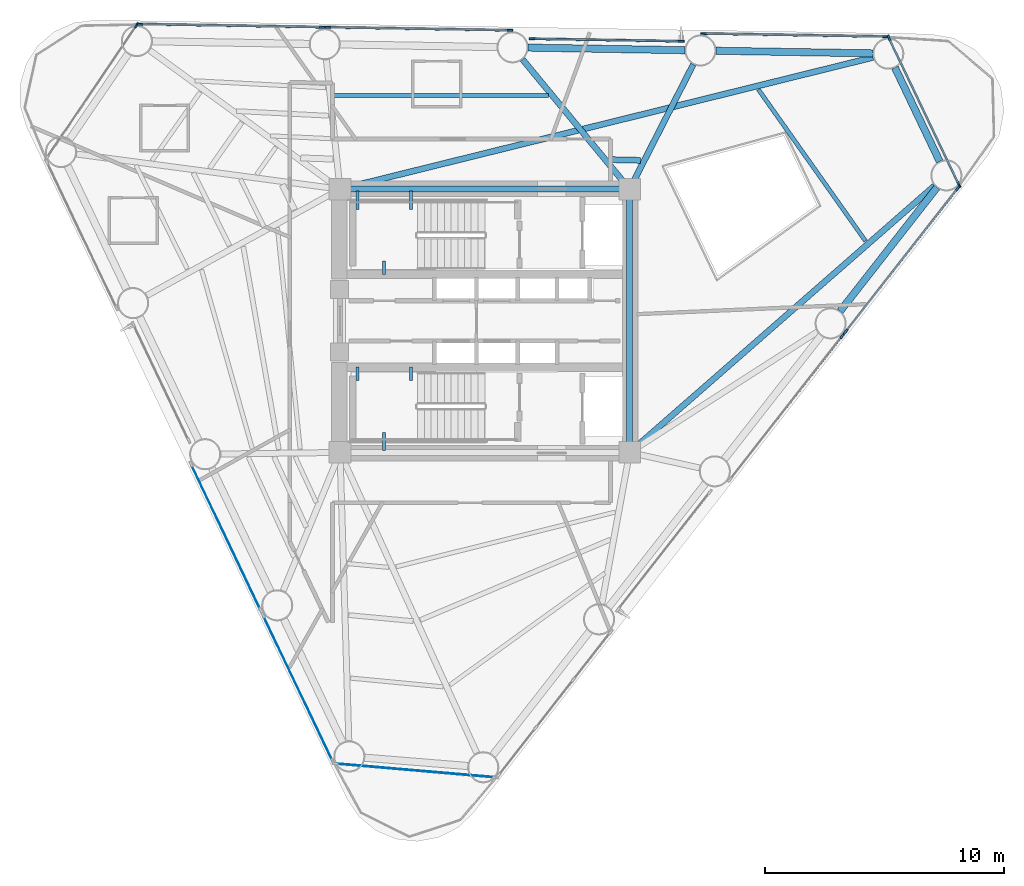
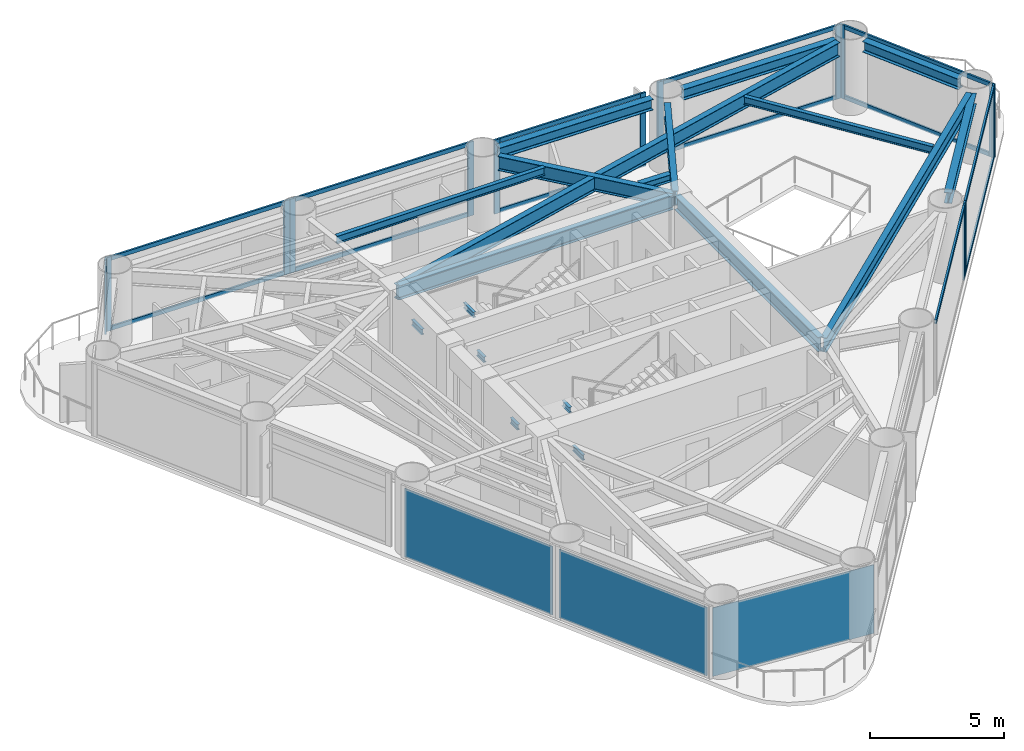
# One storey, part 4 of 10: 28 members, 19 beams, 3 plates, 11 elements without a shape of their own.
"""IFC4 building model written with IfcOpenShell, lengths in metres."""

from ifc_helpers import new_model, si_unit, direction, frame, origin, origin_2d, place, context, subcontext, project, spatial, rectangle, i_section, extrude, source, transform, mapped, material, layer, layer_set, material_profile, profile_set, type_object, element, aggregate, save


model = new_model("IFC4")

# Units and contexts
model_context = context("Model", 3, precision=1e-05, world=origin(), true_north=direction((0.0, 1.0)))
body_context = subcontext(model_context, "Body", "Model", "MODEL_VIEW")
ifc_project = project(units=[si_unit("LENGTHUNIT", "METRE"), si_unit("AREAUNIT", "SQUARE_METRE"), si_unit("VOLUMEUNIT", "CUBIC_METRE"), si_unit("PLANEANGLEUNIT", "RADIAN"), si_unit("MASSUNIT", "GRAM", prefix="KILO")], contexts=[model_context])

# Site, building, storey
site_placement = place(None, origin())
site = spatial("IfcSite", under=ifc_project, at=site_placement, CompositionType="ELEMENT")
building_placement = place(site_placement, origin())
building = spatial("IfcBuilding", under=site, at=building_placement, Name="Yunling Apex Tower", CompositionType="ELEMENT")
storey_placement = place(building_placement, frame((0.0, 0.0, 143.300048828125)))
storey = spatial("IfcBuildingStorey", under=building, at=storey_placement, Name="L35", CompositionType="ELEMENT", Elevation=143.300048828125)

# Beams
ifc_material_1 = material(Name="Steel Q355B", Category="steel")
ifc_material_profile_1 = material_profile(ifc_material_1, i_section(OverallWidth=0.125, OverallDepth=0.25, WebThickness=0.006103515625, FlangeThickness=0.009033203125, FilletRadius=0.011962890625, at=origin_2d()))
ifc_profile_set_1 = profile_set([ifc_material_profile_1], Name="Steel Q355B")
beam_type_1 = type_object("IfcBeamType", Name="BL-LNT-1", PredefinedType="LINTEL", material=ifc_profile_set_1)
shared_shape_1 = source(origin(), body_context, "Body", "SweptSolid", [
    extrude(i_section(OverallWidth=0.125, OverallDepth=0.25, WebThickness=0.006103515625, FlangeThickness=0.009033203125, FilletRadius=0.011962890625, at=origin_2d()), origin(), (0.0, 0.0, 1.0), 0.760009765625),
])
for number, where, z_axis, x_axis, name in (
    (1, (-5.320068359375, 5.419921875, 1.405029296875), (0.0, -1.0, 0.0), (1.0, 0.0, 0.0), "L35 ST-1 Landing Bearing Corbel 1-1"),
    (2, (-3.090087890625, 5.419921875, 1.405029296875), (0.0, -1.0, 0.0), (1.0, 0.0, 0.0), "L35 ST-1 Landing Bearing Corbel 1-2"),
    (3, (-4.205078125, -5.419921875, 1.405029296875), (0.0, 1.0, 0.0), (-1.0, 0.0, 0.0), "L35 ST-2 Landing Bearing Corbel 1-3"),
):
    element("IfcBeam", number, at=place(storey_placement, frame(where, z_axis=z_axis, x_axis=x_axis)), inside=storey, type_object=beam_type_1, Name=name, PredefinedType="LINTEL", context=body_context, shape_type="MappedRepresentation", body=[
        mapped(shared_shape_1, transform((0.0, 0.0, 0.0), scale=1.0)),
    ])
shared_shape_2 = source(origin(), body_context, "Body", "SweptSolid", [
    extrude(i_section(OverallWidth=0.125, OverallDepth=0.25, WebThickness=0.006103515625, FlangeThickness=0.009033203125, FilletRadius=0.011962890625, at=origin_2d()), origin(), (0.0, 0.0, 1.0), 0.550048828125),
])
for number, where, z_axis, x_axis, name in (
    (4, (-4.205078125, 1.93994140625, 1.405029296875), (0.0, 1.0, 0.0), (-1.0, 0.0, 0.0), "L35 ST-1 Landing Bearing Corbel 1-3"),
    (5, (-5.320068359375, -1.93994140625, 1.405029296875), (0.0, -1.0, 0.0), (1.0, 0.0, 0.0), "L35 ST-2 Landing Bearing Corbel 1-1"),
    (6, (-3.090087890625, -1.93994140625, 1.405029296875), (0.0, -1.0, 0.0), (1.0, 0.0, 0.0), "L35 ST-2 Landing Bearing Corbel 1-2"),
):
    element("IfcBeam", number, at=place(storey_placement, frame(where, z_axis=z_axis, x_axis=x_axis)), inside=storey, type_object=beam_type_1, Name=name, PredefinedType="LINTEL", context=body_context, shape_type="MappedRepresentation", body=[
        mapped(shared_shape_2, transform((0.0, 0.0, 0.0), scale=1.0)),
    ])
ifc_material_profile_2 = material_profile(ifc_material_1, i_section(OverallWidth=0.25, OverallDepth=0.64990234375, WebThickness=0.011962890625, FlangeThickness=0.02001953125, FilletRadius=0.02392578125, at=origin_2d()))
ifc_profile_set_2 = profile_set([ifc_material_profile_2], Name="Steel Q355B")
beam_type_2 = type_object("IfcBeamType", Name="BG-PRI-4", PredefinedType="USERDEFINED", material=ifc_profile_set_2)
shared_shape_3 = source(origin(), body_context, "Body", "SweptSolid", [
    extrude(i_section(OverallWidth=0.25, OverallDepth=0.64990234375, WebThickness=0.011962890625, FlangeThickness=0.02001953125, FilletRadius=0.02392578125, at=origin_2d()), origin(), (0.0, 0.0, 1.0), 11.7998046875),
])
beam_1_placement = place(storey_placement, frame((5.89990234375, 5.5, 2.945068359375), z_axis=(-1.0, 0.0, 0.0), x_axis=(0.0, -1.0, 0.0)))
element("IfcBeam", 7, at=beam_1_placement, inside=storey, type_object=beam_type_2, Name="L35 Core Ring Tie Beam 3", ObjectType="GIRDER", PredefinedType="USERDEFINED", context=body_context, shape_type="MappedRepresentation", body=[
    mapped(shared_shape_3, transform((0.0, 0.0, 0.0), scale=1.0)),
])
shared_shape_4 = source(origin(), body_context, "Body", "SweptSolid", [
    extrude(i_section(OverallWidth=0.25, OverallDepth=0.64990234375, WebThickness=0.011962890625, FlangeThickness=0.02001953125, FilletRadius=0.02392578125, at=origin_2d()), origin(), (0.0, 0.0, 1.0), 10.7001953125),
])
beam_2_placement = place(storey_placement, frame((6.050048828125, -5.35009765625, 2.945068359375), z_axis=(0.0, 1.0, 0.0), x_axis=(-1.0, 0.0, 0.0)))
element("IfcBeam", 8, at=beam_2_placement, inside=storey, type_object=beam_type_2, Name="L35 Core Ring Tie Beam 2", ObjectType="GIRDER", PredefinedType="USERDEFINED", context=body_context, shape_type="MappedRepresentation", body=[
    mapped(shared_shape_4, transform((0.0, 0.0, 0.0), scale=1.0)),
])
ifc_material_profile_3 = material_profile(ifc_material_1, i_section(OverallWidth=0.300048828125, OverallDepth=0.489990234375, WebThickness=0.010986328125, FlangeThickness=0.01806640625, FilletRadius=0.02197265625, at=origin_2d()))
ifc_profile_set_3 = profile_set([ifc_material_profile_3], Name="Steel Q355B")
beam_type_3 = type_object("IfcBeamType", Name="BP-SPN-2", PredefinedType="SPANDREL", material=ifc_profile_set_3)
shared_shape_5 = source(origin(), body_context, "Body", "SweptSolid", [
    extrude(i_section(OverallWidth=0.300048828125, OverallDepth=0.489990234375, WebThickness=0.010986328125, FlangeThickness=0.01806640625, FilletRadius=0.02197265625, at=origin_2d()), origin(), (0.0, 0.0, 1.0), 6.562255859375),
])
for number, where, z_axis, x_axis, name in (
    (9, (14.8447265625, 0.400390625, 3.02490234375), (0.616196907529, 0.787592135024, 0.0), (-0.787592135024, 0.616196907529, 0.0), "L35 Perimeter Spandrel Beam 4"),
    (10, (16.214599609375, 11.174560546875, 3.02490234375), (-0.999859845587, 0.016741839275, 0.0), (-0.016741839275, -0.999859845587, 0.0), "L35 Perimeter Spandrel Beam 6"),
):
    element("IfcBeam", number, at=place(storey_placement, frame(where, z_axis=z_axis, x_axis=x_axis)), inside=storey, type_object=beam_type_3, Name=name, PredefinedType="SPANDREL", context=body_context, shape_type="MappedRepresentation", body=[
        mapped(shared_shape_5, transform((0.0, 0.0, 0.0), scale=1.0)),
    ])
shared_shape_6 = source(origin(), body_context, "Body", "SweptSolid", [
    extrude(i_section(OverallWidth=0.300048828125, OverallDepth=0.489990234375, WebThickness=0.010986328125, FlangeThickness=0.01806640625, FilletRadius=0.02197265625, at=origin_2d()), origin(), (0.0, 0.0, 1.0), 6.56201171875),
])
beam_3_placement = place(storey_placement, frame((8.365478515625, 11.305908203125, 3.02490234375), z_axis=(-0.999859211643, 0.016779657083, 0.0), x_axis=(-0.016779657083, -0.999859211643, 0.0)))
element("IfcBeam", 11, at=beam_3_placement, inside=storey, type_object=beam_type_3, Name="L35 Perimeter Spandrel Beam 7", PredefinedType="SPANDREL", context=body_context, shape_type="MappedRepresentation", body=[
    mapped(shared_shape_6, transform((0.0, 0.0, 0.0), scale=1.0)),
])
shared_shape_7 = source(origin(), body_context, "Body", "SweptSolid", [
    extrude(i_section(OverallWidth=0.300048828125, OverallDepth=0.489990234375, WebThickness=0.010986328125, FlangeThickness=0.01806640625, FilletRadius=0.02197265625, at=origin_2d()), origin(), (0.0, 0.0, 1.0), 4.348876953125),
])
beam_4_placement = place(storey_placement, frame((19.0078125, 6.6572265625, 3.02490234375), z_axis=(-0.430473932145, 0.902603010046, 0.0), x_axis=(-0.902603010046, -0.430473932145, 0.0)))
element("IfcBeam", 12, at=beam_4_placement, inside=storey, type_object=beam_type_3, Name="L35 Perimeter Spandrel Beam 5", PredefinedType="SPANDREL", context=body_context, shape_type="MappedRepresentation", body=[
    mapped(shared_shape_7, transform((0.0, 0.0, 0.0), scale=1.0)),
])
shared_shape_8 = source(origin(), body_context, "Body", "SweptSolid", [
    extrude(i_section(OverallWidth=0.25, OverallDepth=0.64990234375, WebThickness=0.011962890625, FlangeThickness=0.02001953125, FilletRadius=0.02392578125, at=origin_2d()), origin(), (0.0, 0.0, 1.0), 16.84521484375),
])
beam_5_placement = place(storey_placement, frame((18.789794921875, 5.642822265625, 2.945068359375), z_axis=(-0.75271314446, -0.658348632684, 0.0), x_axis=(0.658348632684, -0.75271314446, 0.0)))
element("IfcBeam", 13, at=beam_5_placement, inside=storey, type_object=beam_type_2, Name="L35 Radial Primary Girder R05", ObjectType="GIRDER", PredefinedType="USERDEFINED", context=body_context, shape_type="MappedRepresentation", body=[
    mapped(shared_shape_8, transform((0.0, 0.0, 0.0), scale=1.0)),
])
shared_shape_9 = source(origin(), body_context, "Body", "SweptSolid", [
    extrude(i_section(OverallWidth=0.25, OverallDepth=0.64990234375, WebThickness=0.011962890625, FlangeThickness=0.02001953125, FilletRadius=0.02392578125, at=origin_2d()), origin(), (0.0, 0.0, 1.0), 22.860107421875),
])
beam_6_placement = place(storey_placement, frame((16.219482421875, 11.005859375, 2.945068359375), z_axis=(-0.970771198537, -0.240006833426, 0.0), x_axis=(0.240006833426, -0.970771198537, 0.0)))
element("IfcBeam", 14, at=beam_6_placement, inside=storey, type_object=beam_type_2, Name="L35 Radial Primary Girder R06", ObjectType="GIRDER", PredefinedType="USERDEFINED", context=body_context, shape_type="MappedRepresentation", body=[
    mapped(shared_shape_9, transform((0.0, 0.0, 0.0), scale=1.0)),
])
shared_shape_10 = source(origin(), body_context, "Body", "SweptSolid", [
    extrude(i_section(OverallWidth=0.25, OverallDepth=0.64990234375, WebThickness=0.011962890625, FlangeThickness=0.02001953125, FilletRadius=0.02392578125, at=origin_2d()), origin(), (0.0, 0.0, 1.0), 5.76904296875),
])
beam_7_placement = place(storey_placement, frame((8.710205078125, 10.709228515625, 2.945068359375), z_axis=(-0.454797867462, -0.890594688819, 0.0), x_axis=(0.890594688819, -0.454797867462, 0.0)))
element("IfcBeam", 15, at=beam_7_placement, inside=storey, type_object=beam_type_2, Name="L35 Radial Primary Girder R07", ObjectType="GIRDER", PredefinedType="USERDEFINED", context=body_context, shape_type="MappedRepresentation", body=[
    mapped(shared_shape_10, transform((0.0, 0.0, 0.0), scale=1.0)),
])
shared_shape_11 = source(origin(), body_context, "Body", "SweptSolid", [
    extrude(i_section(OverallWidth=0.25, OverallDepth=0.64990234375, WebThickness=0.011962890625, FlangeThickness=0.02001953125, FilletRadius=0.02392578125, at=origin_2d()), origin(), (0.0, 0.0, 1.0), 6.9453125),
])
beam_8_placement = place(storey_placement, frame((1.5791015625, 10.919189453125, 2.945068359375), z_axis=(0.636387137961, -0.771369827409, 0.0), x_axis=(0.771369827409, 0.636387137961, 0.0)))
element("IfcBeam", 16, at=beam_8_placement, inside=storey, type_object=beam_type_2, Name="L35 Radial Primary Girder R08", ObjectType="GIRDER", PredefinedType="USERDEFINED", context=body_context, shape_type="MappedRepresentation", body=[
    mapped(shared_shape_11, transform((0.0, 0.0, 0.0), scale=1.0)),
])
ifc_material_profile_4 = material_profile(ifc_material_1, i_section(OverallWidth=0.175048828125, OverallDepth=0.35009765625, WebThickness=0.007080078125, FlangeThickness=0.010986328125, FilletRadius=0.013916015625, at=origin_2d()))
ifc_profile_set_4 = profile_set([ifc_material_profile_4], Name="Steel Q355B")
beam_type_4 = type_object("IfcBeamType", Name="BJ-JST-1", PredefinedType="JOIST", material=ifc_profile_set_4)
shared_shape_12 = source(origin(), body_context, "Body", "SweptSolid", [
    extrude(i_section(OverallWidth=0.175048828125, OverallDepth=0.35009765625, WebThickness=0.007080078125, FlangeThickness=0.010986328125, FilletRadius=0.013916015625, at=origin_2d()), origin(), (0.0, 0.0, 1.0), 7.7578125),
])
beam_9_placement = place(storey_placement, frame((15.907958984375, 3.33349609375, 3.094970703125), z_axis=(-0.577260058065, 0.816560362351, 0.0), x_axis=(-0.816560362351, -0.577260058065, 0.0)))
element("IfcBeam", 17, at=beam_9_placement, inside=storey, type_object=beam_type_4, Name="L35 Composite Floor Joist BJ1-5", PredefinedType="JOIST", context=body_context, shape_type="MappedRepresentation", body=[
    mapped(shared_shape_12, transform((0.0, 0.0, 0.0), scale=1.0)),
])
ifc_material_profile_5 = material_profile(ifc_material_1, i_section(OverallWidth=0.25, OverallDepth=0.340087890625, WebThickness=0.009033203125, FlangeThickness=0.013916015625, FilletRadius=0.01806640625, at=origin_2d()))
ifc_profile_set_5 = profile_set([ifc_material_profile_5], Name="Steel Q355B")
beam_type_5 = type_object("IfcBeamType", Name="BJ-JST-2", PredefinedType="JOIST", material=ifc_profile_set_5)
shared_shape_13 = source(origin(), body_context, "Body", "SweptSolid", [
    extrude(i_section(OverallWidth=0.25, OverallDepth=0.340087890625, WebThickness=0.009033203125, FlangeThickness=0.013916015625, FilletRadius=0.01806640625, at=origin_2d()), origin(), (0.0, 0.0, 1.0), 1.3173828125),
])
beam_10_placement = place(storey_placement, frame((6.503662109375, 6.705322265625, 3.099853515625), z_axis=(-0.999718560735, 0.023723391875, 0.0), x_axis=(-0.023723391875, -0.999718560735, 0.0)))
element("IfcBeam", 18, at=beam_10_placement, inside=storey, type_object=beam_type_5, Name="L35 Composite Floor Joist BJ2-7", PredefinedType="JOIST", context=body_context, shape_type="MappedRepresentation", body=[
    mapped(shared_shape_13, transform((0.0, 0.0, 0.0), scale=1.0)),
])
shared_shape_14 = source(origin(), body_context, "Body", "SweptSolid", [
    extrude(i_section(OverallWidth=0.175048828125, OverallDepth=0.35009765625, WebThickness=0.007080078125, FlangeThickness=0.010986328125, FilletRadius=0.013916015625, at=origin_2d()), origin(), (0.0, 0.0, 1.0), 8.959228515625),
])
beam_11_placement = place(storey_placement, frame((2.65673828125, 9.4189453125, 3.094970703125), z_axis=(-0.99999980359, -0.000626754107, 0.0), x_axis=(0.000626754107, -0.99999980359, 0.0)))
element("IfcBeam", 19, at=beam_11_placement, inside=storey, type_object=beam_type_4, Name="L35 Composite Floor Joist BJ1-8", PredefinedType="JOIST", context=body_context, shape_type="MappedRepresentation", body=[
    mapped(shared_shape_14, transform((0.0, 0.0, 0.0), scale=1.0)),
])

# Curtain wall, member
ifc_material_2 = material(Name="Bronze anodised aluminium", Category="aluminium")
ifc_layer_1 = layer(ifc_material_2, 0.239990234375)
ifc_layer_set_1 = layer_set([ifc_layer_1], Name="Bronze anodised aluminium")
curtain_wall_type = type_object("IfcCurtainWallType", Name="CW-SYS-3", PredefinedType="NOTDEFINED", material=ifc_layer_set_1)
curtain_wall_1_placement = place(storey_placement, origin())
curtain_wall_1 = element("IfcCurtainWall", 20, at=curtain_wall_1_placement, inside=storey, type_object=curtain_wall_type, Name="CW-L35-F1-B3", PredefinedType="NOTDEFINED")
ifc_material_profile_6 = material_profile(ifc_material_2, rectangle(XDim=0.080078125, YDim=0.239990234375, at=origin_2d()))
ifc_profile_set_6 = profile_set([ifc_material_profile_6], Name="Bronze anodised aluminium")
member_type_1 = type_object("IfcMemberType", Name="CW-MUL-3", PredefinedType="MULLION", material=ifc_profile_set_6)
shared_shape_15 = source(origin(), body_context, "Body", "SweptSolid", [
    extrude(rectangle(XDim=0.080078125, YDim=0.239990234375, at=origin_2d()), origin(), (0.0, 0.0, 1.0), 3.3701171875),
])
member_1_placement = place(storey_placement, frame((14.93310546875, -0.638671875, -0.050048828125), z_axis=(0.0, 0.0, 1.0), x_axis=(-0.787583748686, 0.616207626377, 0.0)))
member_1 = element("IfcMember", 21, at=member_1_placement, type_object=member_type_1, Name="CW-SYS-3 mullion 2", PredefinedType="MULLION", context=body_context, shape_type="MappedRepresentation", body=[
    mapped(shared_shape_15, transform((0.0, 0.0, 0.0), scale=1.0)),
])

# Curtain wall, members
curtain_wall_2_placement = place(storey_placement, origin())
curtain_wall_2 = element("IfcCurtainWall", 22, at=curtain_wall_2_placement, inside=storey, type_object=curtain_wall_type, Name="CW-L35-F1-B4", PredefinedType="NOTDEFINED")
member_2_placement = place(storey_placement, frame((15.0810546875, -0.44970703125, -0.050048828125), z_axis=(0.0, 0.0, 1.0), x_axis=(-0.787583748686, 0.616207626377, 0.0)))
member_2 = element("IfcMember", 23, at=member_2_placement, type_object=member_type_1, Name="CW-SYS-3 mullion 1", PredefinedType="MULLION", context=body_context, shape_type="MappedRepresentation", body=[
    mapped(shared_shape_15, transform((0.0, 0.0, 0.0), scale=1.0)),
])
member_3_placement = place(storey_placement, frame((19.770263671875, 5.5439453125, -0.050048828125), z_axis=(0.0, 0.0, 1.0), x_axis=(-0.787583748686, 0.616207626377, 0.0)))
member_3 = element("IfcMember", 24, at=member_3_placement, type_object=member_type_1, Name="CW-SYS-3 mullion 2", PredefinedType="MULLION", context=body_context, shape_type="MappedRepresentation", body=[
    mapped(shared_shape_15, transform((0.0, 0.0, 0.0), scale=1.0)),
])

curtain_wall_3_placement = place(storey_placement, origin())
curtain_wall_3 = element("IfcCurtainWall", 25, at=curtain_wall_3_placement, inside=storey, type_object=curtain_wall_type, Name="CW-L35-CRN1", PredefinedType="NOTDEFINED")
member_4_placement = place(storey_placement, frame((19.811279296875, 5.68701171875, -0.050048828125), z_axis=(0.0, 0.0, 1.0), x_axis=(-0.902581673296, -0.430518667458, 0.0)))
member_4 = element("IfcMember", 26, at=member_4_placement, type_object=member_type_1, Name="CW-SYS-3 mullion 1", PredefinedType="MULLION", context=body_context, shape_type="MappedRepresentation", body=[
    mapped(shared_shape_15, transform((0.0, 0.0, 0.0), scale=1.0)),
])
member_5_placement = place(storey_placement, frame((16.88720703125, 11.8173828125, -0.050048828125), z_axis=(0.0, 0.0, 1.0), x_axis=(-0.902581673296, -0.430518667458, 0.0)))
member_5 = element("IfcMember", 27, at=member_5_placement, type_object=member_type_1, Name="CW-SYS-3 mullion 2", PredefinedType="MULLION", context=body_context, shape_type="MappedRepresentation", body=[
    mapped(shared_shape_15, transform((0.0, 0.0, 0.0), scale=1.0)),
])

curtain_wall_4_placement = place(storey_placement, origin())
curtain_wall_4 = element("IfcCurtainWall", 28, at=curtain_wall_4_placement, inside=storey, type_object=curtain_wall_type, Name="CW-L35-F2-B1", PredefinedType="NOTDEFINED")
member_6_placement = place(storey_placement, frame((16.75048828125, 11.87548828125, -0.050048828125), z_axis=(0.0, 0.0, 1.0), x_axis=(-0.016761635477, -0.99985951392, 0.0)))
member_6 = element("IfcMember", 29, at=member_6_placement, type_object=member_type_1, Name="CW-SYS-3 mullion 1", PredefinedType="MULLION", context=body_context, shape_type="MappedRepresentation", body=[
    mapped(shared_shape_15, transform((0.0, 0.0, 0.0), scale=1.0)),
])
member_7_placement = place(storey_placement, frame((9.141357421875, 12.003173828125, -0.050048828125), z_axis=(0.0, 0.0, 1.0), x_axis=(-0.016761635477, -0.99985951392, 0.0)))
member_7 = element("IfcMember", 30, at=member_7_placement, type_object=member_type_1, Name="CW-SYS-3 mullion 2", PredefinedType="MULLION", context=body_context, shape_type="MappedRepresentation", body=[
    mapped(shared_shape_15, transform((0.0, 0.0, 0.0), scale=1.0)),
])

curtain_wall_5_placement = place(storey_placement, origin())
curtain_wall_5 = element("IfcCurtainWall", 31, at=curtain_wall_5_placement, inside=storey, type_object=curtain_wall_type, Name="CW-L35-F2-B2", PredefinedType="NOTDEFINED")
member_8_placement = place(storey_placement, frame((8.205810546875, 11.6787109375, -0.050048828125), z_axis=(0.0, 0.0, 1.0), x_axis=(-0.016766539529, -0.999859431696, 0.0)))
member_8 = element("IfcMember", 32, at=member_8_placement, type_object=member_type_1, Name="CW-SYS-3 mullion 1", PredefinedType="MULLION", context=body_context, shape_type="MappedRepresentation", body=[
    mapped(shared_shape_15, transform((0.0, 0.0, 0.0), scale=1.0)),
])
member_9_placement = place(storey_placement, frame((1.9765625, 11.783203125, -0.050048828125), z_axis=(0.0, 0.0, 1.0), x_axis=(-0.016766539529, -0.999859431696, 0.0)))
member_9 = element("IfcMember", 33, at=member_9_placement, type_object=member_type_1, Name="CW-SYS-3 mullion 2", PredefinedType="MULLION", context=body_context, shape_type="MappedRepresentation", body=[
    mapped(shared_shape_15, transform((0.0, 0.0, 0.0), scale=1.0)),
])

curtain_wall_6_placement = place(storey_placement, origin())
curtain_wall_6 = element("IfcCurtainWall", 34, at=curtain_wall_6_placement, inside=storey, type_object=curtain_wall_type, Name="CW-L35-F2-B3", PredefinedType="NOTDEFINED")
member_10_placement = place(storey_placement, frame((1.052490234375, 12.138671875, -0.050048828125), z_axis=(0.0, 0.0, 1.0), x_axis=(-0.016761635477, -0.99985951392, 0.0)))
member_10 = element("IfcMember", 35, at=member_10_placement, type_object=member_type_1, Name="CW-SYS-3 mullion 1", PredefinedType="MULLION", context=body_context, shape_type="MappedRepresentation", body=[
    mapped(shared_shape_15, transform((0.0, 0.0, 0.0), scale=1.0)),
])
member_11_placement = place(storey_placement, frame((-6.556640625, 12.266357421875, -0.050048828125), z_axis=(0.0, 0.0, 1.0), x_axis=(-0.016761635477, -0.99985951392, 0.0)))
member_11 = element("IfcMember", 36, at=member_11_placement, type_object=member_type_1, Name="CW-SYS-3 mullion 2", PredefinedType="MULLION", context=body_context, shape_type="MappedRepresentation", body=[
    mapped(shared_shape_15, transform((0.0, 0.0, 0.0), scale=1.0)),
])

curtain_wall_7_placement = place(storey_placement, origin())
curtain_wall_7 = element("IfcCurtainWall", 37, at=curtain_wall_7_placement, inside=storey, type_object=curtain_wall_type, Name="CW-L35-F2-B4", PredefinedType="NOTDEFINED")
member_12_placement = place(storey_placement, frame((-6.796630859375, 12.270263671875, -0.050048828125), z_axis=(0.0, 0.0, 1.0), x_axis=(-0.016761635477, -0.99985951392, 0.0)))
member_12 = element("IfcMember", 38, at=member_12_placement, type_object=member_type_1, Name="CW-SYS-3 mullion 1", PredefinedType="MULLION", context=body_context, shape_type="MappedRepresentation", body=[
    mapped(shared_shape_15, transform((0.0, 0.0, 0.0), scale=1.0)),
])
member_13_placement = place(storey_placement, frame((-14.40576171875, 12.39794921875, -0.050048828125), z_axis=(0.0, 0.0, 1.0), x_axis=(-0.016761635477, -0.99985951392, 0.0)))
member_13 = element("IfcMember", 39, at=member_13_placement, type_object=member_type_1, Name="CW-SYS-3 mullion 2", PredefinedType="MULLION", context=body_context, shape_type="MappedRepresentation", body=[
    mapped(shared_shape_15, transform((0.0, 0.0, 0.0), scale=1.0)),
])

# Curtain wall, member
curtain_wall_8_placement = place(storey_placement, origin())
curtain_wall_8 = element("IfcCurtainWall", 40, at=curtain_wall_8_placement, inside=storey, type_object=curtain_wall_type, Name="CW-L35-CRN2", PredefinedType="NOTDEFINED")
member_14_placement = place(storey_placement, frame((-14.54833984375, 12.3466796875, -0.050048828125), z_axis=(0.0, 0.0, 1.0), x_axis=(0.82813882115, -0.560523052964, 0.0)))
member_14 = element("IfcMember", 41, at=member_14_placement, type_object=member_type_1, Name="CW-SYS-3 mullion 1", PredefinedType="MULLION", context=body_context, shape_type="MappedRepresentation", body=[
    mapped(shared_shape_15, transform((0.0, 0.0, 0.0), scale=1.0)),
])
aggregate(curtain_wall_8, [member_14])

# Member
ifc_material_profile_7 = material_profile(ifc_material_2, rectangle(XDim=0.080078125, YDim=0.18505859375, at=origin_2d()))
ifc_profile_set_7 = profile_set([ifc_material_profile_7], Name="Bronze anodised aluminium")
member_type_2 = type_object("IfcMemberType", Name="CW-TRN-3", PredefinedType="USERDEFINED", material=ifc_profile_set_7)
shared_shape_16 = source(origin(), body_context, "Body", "SweptSolid", [
    extrude(rectangle(XDim=0.080078125, YDim=0.18505859375, at=origin_2d()), origin(), (0.0, 0.0, 1.0), 7.5380859375),
])
member_15_placement = place(storey_placement, frame((10.265869140625, -6.603759765625, 3.22998046875), z_axis=(0.616213940974, 0.787578808088, 0.0), x_axis=(-0.787578808088, 0.616213940974, 0.0)))
member_15 = element("IfcMember", 42, at=member_15_placement, type_object=member_type_2, Name="CW-SYS-3 transom 1.2", ObjectType="TRANSOM", PredefinedType="USERDEFINED", context=body_context, shape_type="MappedRepresentation", body=[
    mapped(shared_shape_16, transform((0.0, 0.0, 0.0), scale=1.0)),
])

aggregate(curtain_wall_1, [member_1, member_15])

member_16_placement = place(storey_placement, frame((15.10302734375, -0.421142578125, 0.0400390625), z_axis=(0.616213940974, 0.787578808088, 0.0), x_axis=(-0.787578808088, 0.616213940974, 0.0)))
member_16 = element("IfcMember", 43, at=member_16_placement, type_object=member_type_2, Name="CW-SYS-3 transom 1.1", ObjectType="TRANSOM", PredefinedType="USERDEFINED", context=body_context, shape_type="MappedRepresentation", body=[
    mapped(shared_shape_16, transform((0.0, 0.0, 0.0), scale=1.0)),
])

member_17_placement = place(storey_placement, frame((15.10302734375, -0.421142578125, 3.22998046875), z_axis=(0.616213940974, 0.787578808088, 0.0), x_axis=(-0.787578808088, 0.616213940974, 0.0)))
member_17 = element("IfcMember", 44, at=member_17_placement, type_object=member_type_2, Name="CW-SYS-3 transom 1.2", ObjectType="TRANSOM", PredefinedType="USERDEFINED", context=body_context, shape_type="MappedRepresentation", body=[
    mapped(shared_shape_16, transform((0.0, 0.0, 0.0), scale=1.0)),
])

aggregate(curtain_wall_2, [member_2, member_3, member_16, member_17])

member_18_placement = place(storey_placement, frame((16.71435546875, 11.876220703125, 0.0400390625), z_axis=(-0.999859805743, 0.016744218696, 0.0), x_axis=(-0.016744218696, -0.999859805743, 0.0)))
member_18 = element("IfcMember", 45, at=member_18_placement, type_object=member_type_2, Name="CW-SYS-3 transom 1.1", ObjectType="TRANSOM", PredefinedType="USERDEFINED", context=body_context, shape_type="MappedRepresentation", body=[
    mapped(shared_shape_16, transform((0.0, 0.0, 0.0), scale=1.0)),
])

member_19_placement = place(storey_placement, frame((16.71435546875, 11.876220703125, 3.22998046875), z_axis=(-0.999859805743, 0.016744218696, 0.0), x_axis=(-0.016744218696, -0.999859805743, 0.0)))
member_19 = element("IfcMember", 46, at=member_19_placement, type_object=member_type_2, Name="CW-SYS-3 transom 1.2", ObjectType="TRANSOM", PredefinedType="USERDEFINED", context=body_context, shape_type="MappedRepresentation", body=[
    mapped(shared_shape_16, transform((0.0, 0.0, 0.0), scale=1.0)),
])

aggregate(curtain_wall_4, [member_6, member_7, member_18, member_19])

member_20_placement = place(storey_placement, frame((1.016357421875, 12.139404296875, 0.0400390625), z_axis=(-0.999859805743, 0.016744218696, 0.0), x_axis=(-0.016744218696, -0.999859805743, 0.0)))
member_20 = element("IfcMember", 47, at=member_20_placement, type_object=member_type_2, Name="CW-SYS-3 transom 1.1", ObjectType="TRANSOM", PredefinedType="USERDEFINED", context=body_context, shape_type="MappedRepresentation", body=[
    mapped(shared_shape_16, transform((0.0, 0.0, 0.0), scale=1.0)),
])

member_21_placement = place(storey_placement, frame((1.016357421875, 12.139404296875, 3.22998046875), z_axis=(-0.999859805743, 0.016744218696, 0.0), x_axis=(-0.016744218696, -0.999859805743, 0.0)))
member_21 = element("IfcMember", 48, at=member_21_placement, type_object=member_type_2, Name="CW-SYS-3 transom 1.2", ObjectType="TRANSOM", PredefinedType="USERDEFINED", context=body_context, shape_type="MappedRepresentation", body=[
    mapped(shared_shape_16, transform((0.0, 0.0, 0.0), scale=1.0)),
])

aggregate(curtain_wall_6, [member_10, member_11, member_20, member_21])

member_22_placement = place(storey_placement, frame((-6.83251953125, 12.27099609375, 0.0400390625), z_axis=(-0.999859805743, 0.016744218696, 0.0), x_axis=(-0.016744218696, -0.999859805743, 0.0)))
member_22 = element("IfcMember", 49, at=member_22_placement, type_object=member_type_2, Name="CW-SYS-3 transom 1.1", ObjectType="TRANSOM", PredefinedType="USERDEFINED", context=body_context, shape_type="MappedRepresentation", body=[
    mapped(shared_shape_16, transform((0.0, 0.0, 0.0), scale=1.0)),
])

member_23_placement = place(storey_placement, frame((-6.83251953125, 12.27099609375, 3.22998046875), z_axis=(-0.999859805743, 0.016744218696, 0.0), x_axis=(-0.016744218696, -0.999859805743, 0.0)))
member_23 = element("IfcMember", 50, at=member_23_placement, type_object=member_type_2, Name="CW-SYS-3 transom 1.2", ObjectType="TRANSOM", PredefinedType="USERDEFINED", context=body_context, shape_type="MappedRepresentation", body=[
    mapped(shared_shape_16, transform((0.0, 0.0, 0.0), scale=1.0)),
])

aggregate(curtain_wall_7, [member_12, member_13, member_22, member_23])

shared_shape_17 = source(origin(), body_context, "Body", "SweptSolid", [
    extrude(rectangle(XDim=0.080078125, YDim=0.18505859375, at=origin_2d()), origin(), (0.0, 0.0, 1.0), 6.719970703125),
])
member_24_placement = place(storey_placement, frame((19.7958984375, 5.719482421875, 0.0400390625), z_axis=(-0.430511684766, 0.902585003908, 0.0), x_axis=(-0.902585003908, -0.430511684766, 0.0)))
member_24 = element("IfcMember", 51, at=member_24_placement, type_object=member_type_2, Name="CW-SYS-3 transom 1.1", ObjectType="TRANSOM", PredefinedType="USERDEFINED", context=body_context, shape_type="MappedRepresentation", body=[
    mapped(shared_shape_17, transform((0.0, 0.0, 0.0), scale=1.0)),
])

member_25_placement = place(storey_placement, frame((19.7958984375, 5.719482421875, 3.22998046875), z_axis=(-0.430511684766, 0.902585003908, 0.0), x_axis=(-0.902585003908, -0.430511684766, 0.0)))
member_25 = element("IfcMember", 52, at=member_25_placement, type_object=member_type_2, Name="CW-SYS-3 transom 1.2", ObjectType="TRANSOM", PredefinedType="USERDEFINED", context=body_context, shape_type="MappedRepresentation", body=[
    mapped(shared_shape_17, transform((0.0, 0.0, 0.0), scale=1.0)),
])

aggregate(curtain_wall_3, [member_4, member_5, member_24, member_25])

shared_shape_18 = source(origin(), body_context, "Body", "SweptSolid", [
    extrude(rectangle(XDim=0.080078125, YDim=0.18505859375, at=origin_2d()), origin(), (0.0, 0.0, 1.0), 6.158447265625),
])
member_26_placement = place(storey_placement, frame((8.169921875, 11.679443359375, 0.0400390625), z_axis=(-0.99985938407, 0.016769379464, 0.0), x_axis=(-0.016769379464, -0.99985938407, 0.0)))
member_26 = element("IfcMember", 53, at=member_26_placement, type_object=member_type_2, Name="CW-SYS-3 transom 1.1", ObjectType="TRANSOM", PredefinedType="USERDEFINED", context=body_context, shape_type="MappedRepresentation", body=[
    mapped(shared_shape_18, transform((0.0, 0.0, 0.0), scale=1.0)),
])

member_27_placement = place(storey_placement, frame((8.169921875, 11.679443359375, 2.485107421875), z_axis=(-0.99985938407, 0.016769379464, 0.0), x_axis=(-0.016769379464, -0.99985938407, 0.0)))
member_27 = element("IfcMember", 54, at=member_27_placement, type_object=member_type_2, Name="CW-SYS-3 transom 1.2", ObjectType="TRANSOM", PredefinedType="USERDEFINED", context=body_context, shape_type="MappedRepresentation", body=[
    mapped(shared_shape_18, transform((0.0, 0.0, 0.0), scale=1.0)),
])

member_28_placement = place(storey_placement, frame((8.169921875, 11.679443359375, 3.22998046875), z_axis=(-0.99985938407, 0.016769379464, 0.0), x_axis=(-0.016769379464, -0.99985938407, 0.0)))
member_28 = element("IfcMember", 55, at=member_28_placement, type_object=member_type_2, Name="CW-SYS-3 transom 1.3", ObjectType="TRANSOM", PredefinedType="USERDEFINED", context=body_context, shape_type="MappedRepresentation", body=[
    mapped(shared_shape_18, transform((0.0, 0.0, 0.0), scale=1.0)),
])

aggregate(curtain_wall_5, [member_8, member_9, member_26, member_27, member_28])

# Curtain wall, plate
curtain_wall_9_placement = place(storey_placement, origin())
curtain_wall_9 = element("IfcCurtainWall", 56, at=curtain_wall_9_placement, inside=storey, type_object=curtain_wall_type, Name="CW-L35-F3-B3", PredefinedType="NOTDEFINED")
ifc_material_3 = material(Name="Bronze tinted low-E glass", Category="glass")
ifc_layer_2 = layer(ifc_material_3, 0.031982421875)
ifc_layer_set_2 = layer_set([ifc_layer_2], Name="Bronze tinted low-E glass")
plate_type = type_object("IfcPlateType", Name="CW-PNL-3", PredefinedType="CURTAIN_PANEL", material=ifc_layer_set_2)
shared_shape_19 = source(origin(), body_context, "Body", "SweptSolid", [
    extrude(rectangle(XDim=6.691650390625, YDim=0.031982421875, at=origin_2d()), origin(), (0.0, 0.0, 1.0), 3.1259765625),
])
plate_1_placement = place(storey_placement, frame((-10.820068359375, -9.036376953125, 0.072021484375), z_axis=(0.0, 0.0, 1.0), x_axis=(0.430493977743, -0.902593449526, 0.0)))
plate_1 = element("IfcPlate", 57, at=plate_1_placement, type_object=plate_type, Name="CW-SYS-3 panel 1.1", PredefinedType="CURTAIN_PANEL", context=body_context, shape_type="MappedRepresentation", body=[
    mapped(shared_shape_19, transform((0.0, 0.0, 0.0), scale=1.0)),
])
aggregate(curtain_wall_9, [plate_1])

curtain_wall_10_placement = place(storey_placement, origin())
curtain_wall_10 = element("IfcCurtainWall", 58, at=curtain_wall_10_placement, inside=storey, type_object=curtain_wall_type, Name="CW-L35-F3-B4", PredefinedType="NOTDEFINED")
plate_2_placement = place(storey_placement, frame((-7.80859375, -15.350341796875, 0.072021484375), z_axis=(0.0, 0.0, 1.0), x_axis=(0.430511580192, -0.902585053788, 0.0)))
plate_2 = element("IfcPlate", 59, at=plate_2_placement, type_object=plate_type, Name="CW-SYS-3 panel 1.1", PredefinedType="CURTAIN_PANEL", context=body_context, shape_type="MappedRepresentation", body=[
    mapped(shared_shape_19, transform((0.0, 0.0, 0.0), scale=1.0)),
])
aggregate(curtain_wall_10, [plate_2])

curtain_wall_11_placement = place(storey_placement, origin())
curtain_wall_11 = element("IfcCurtainWall", 60, at=curtain_wall_11_placement, inside=storey, type_object=curtain_wall_type, Name="CW-L35-CRN3", PredefinedType="NOTDEFINED")
shared_shape_20 = source(origin(), body_context, "Body", "SweptSolid", [
    extrude(rectangle(XDim=6.64501953125, YDim=0.031982421875, at=origin_2d()), origin(), (0.0, 0.0, 1.0), 3.1259765625),
])
plate_3_placement = place(storey_placement, frame((-2.902587890625, -18.789306640625, 0.072021484375), z_axis=(0.0, 0.0, 1.0), x_axis=(0.996333853808, -0.085550287883, 0.0)))
plate_3 = element("IfcPlate", 61, at=plate_3_placement, type_object=plate_type, Name="CW-SYS-3 panel 1.1", PredefinedType="CURTAIN_PANEL", context=body_context, shape_type="MappedRepresentation", body=[
    mapped(shared_shape_20, transform((0.0, 0.0, 0.0), scale=1.0)),
])
aggregate(curtain_wall_11, [plate_3])

save(model, "model.ifc")
